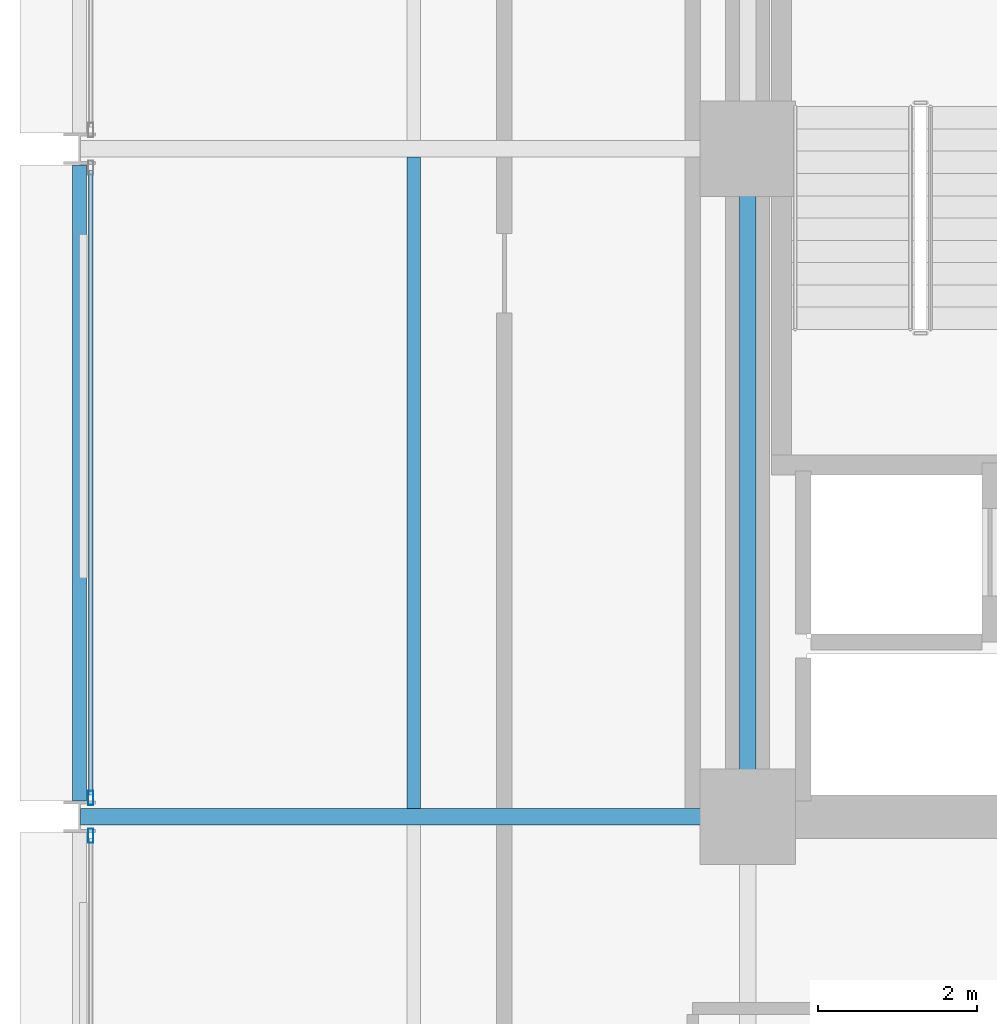
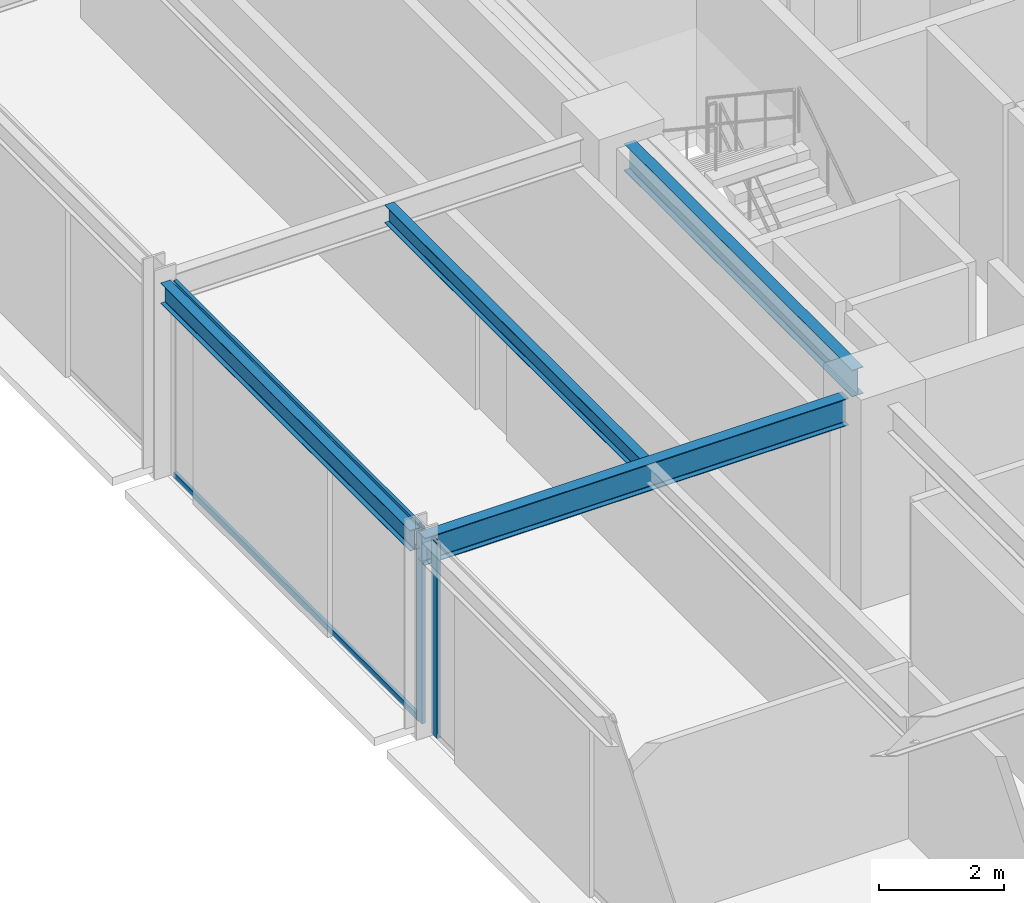
# One storey, part 10 of 30: 4 beams, 4 members, 2 elements without a shape of their own.
"""IFC4 building model written with IfcOpenShell, lengths in metres."""

from ifc_helpers import new_model, si_unit, direction, frame, origin, origin_2d, place, context, subcontext, project, spatial, hollow_rectangle, i_section, extrude, material, layer, layer_set, material_profile, profile_set, type_object, element, aggregate, save


model = new_model("IFC4")

# Units and contexts
model_context = context("Model", 3, precision=1e-05, world=origin(), true_north=direction((0.0, 1.0)))
body_context = subcontext(model_context, "Body", "Model", "MODEL_VIEW")
ifc_project = project(units=[si_unit("LENGTHUNIT", "METRE"), si_unit("AREAUNIT", "SQUARE_METRE"), si_unit("VOLUMEUNIT", "CUBIC_METRE"), si_unit("PLANEANGLEUNIT", "RADIAN"), si_unit("MASSUNIT", "GRAM", prefix="KILO")], contexts=[model_context])

# Site, building, storey
site_placement = place(None, origin())
site = spatial("IfcSite", under=ifc_project, at=site_placement, CompositionType="ELEMENT")
building_placement = place(site_placement, origin())
building = spatial("IfcBuilding", under=site, at=building_placement, Name="Nerrivon Quay Data Exchange", CompositionType="ELEMENT")
storey_placement = place(building_placement, frame((0.0, 0.0, 117.199951171875)))
storey = spatial("IfcBuildingStorey", under=building, at=storey_placement, Name="L27", CompositionType="ELEMENT", Elevation=117.199951171875)

# Beams
ifc_material_1 = material(Name="Steel Grade 350", Category="steel")
ifc_material_profile_1 = material_profile(ifc_material_1, i_section(OverallWidth=0.208984375, OverallDepth=0.532958984375, WebThickness=0.01025390625, FlangeThickness=0.015625, FilletRadius=0.013916015625, at=origin_2d()), Name="530UB92.4")
ifc_profile_set_1 = profile_set([ifc_material_profile_1], Name="Steel Grade 350")
beam_type_1 = type_object("IfcBeamType", Name="BM-G3-530UB92", PredefinedType="BEAM", material=ifc_profile_set_1)
beam_1_placement = place(storey_placement, frame((0.012451171875, 25.199951171875, 3.55859375), z_axis=(1.0, 0.0, 0.0), x_axis=(0.0, 1.0, 0.0)))
element("IfcBeam", 1, at=beam_1_placement, inside=storey, type_object=beam_type_1, Name="L27 EW Girder Y=25.2 (0.0..8.4)", PredefinedType="BEAM", context=body_context, shape_type="SweptSolid", body=[
    extrude(i_section(OverallWidth=0.208984375, OverallDepth=0.532958984375, WebThickness=0.01025390625, FlangeThickness=0.015625, FilletRadius=0.013916015625, at=origin_2d()), origin(), (0.0, 0.0, 1.0), 7.84765625),
])
ifc_material_profile_2 = material_profile(ifc_material_1, i_section(OverallWidth=0.208984375, OverallDepth=0.528076171875, WebThickness=0.009521484375, FlangeThickness=0.01318359375, FilletRadius=0.013916015625, at=origin_2d()), Name="530UB82.0")
ifc_profile_set_2 = profile_set([ifc_material_profile_2], Name="Steel Grade 350")
beam_type_2 = type_object("IfcBeamType", Name="BM-G4-530UB82", PredefinedType="BEAM", material=ifc_profile_set_2)
beam_2_placement = place(storey_placement, frame((8.39990234375, 25.739990234375, 3.56103515625), z_axis=(0.0, 1.0, 0.0), x_axis=(-1.0, 0.0, 0.0)))
element("IfcBeam", 2, at=beam_2_placement, inside=storey, type_object=beam_type_2, Name="L27 NS Girder X=8.4 (25.2..33.6)", PredefinedType="BEAM", context=body_context, shape_type="SweptSolid", body=[
    extrude(i_section(OverallWidth=0.208984375, OverallDepth=0.528076171875, WebThickness=0.009521484375, FlangeThickness=0.01318359375, FilletRadius=0.013916015625, at=origin_2d()), origin(), (0.0, 0.0, 1.0), 7.320068359375),
])
ifc_material_profile_3 = material_profile(ifc_material_1, i_section(OverallWidth=0.1708984375, OverallDepth=0.35595703125, WebThickness=0.00732421875, FlangeThickness=0.011474609375, FilletRadius=0.011474609375, at=origin_2d()), Name="360UB50.7")
ifc_profile_set_3 = profile_set([ifc_material_profile_3], Name="Steel Grade 350")
beam_type_3 = type_object("IfcBeamType", Name="BM-J4-360UB51", PredefinedType="JOIST", material=ifc_profile_set_3)
beam_3_placement = place(storey_placement, frame((4.199951171875, 25.304443359375, 3.64697265625), z_axis=(0.0, 1.0, 0.0), x_axis=(-1.0, 0.0, 0.0)))
element("IfcBeam", 3, at=beam_3_placement, inside=storey, type_object=beam_type_3, Name="L27 Secondary Joist X=4.2 (25.2..33.6)", PredefinedType="JOIST", context=body_context, shape_type="SweptSolid", body=[
    extrude(i_section(OverallWidth=0.1708984375, OverallDepth=0.35595703125, WebThickness=0.00732421875, FlangeThickness=0.011474609375, FilletRadius=0.011474609375, at=origin_2d()), origin(), (0.0, 0.0, 1.0), 8.191162109375),
])
ifc_material_profile_4 = material_profile(ifc_material_1, i_section(OverallWidth=0.177978515625, OverallDepth=0.403076171875, WebThickness=0.007568359375, FlangeThickness=0.010986328125, FilletRadius=0.011474609375, at=origin_2d()), Name="410UB53.7")
ifc_profile_set_4 = profile_set([ifc_material_profile_4], Name="Steel Grade 350")
beam_type_4 = type_object("IfcBeamType", Name="BM-SP2-410UB54", PredefinedType="SPANDREL", material=ifc_profile_set_4)
beam_4_placement = place(storey_placement, frame((0.0, 25.39990234375, 3.62353515625), z_axis=(0.0, 1.0, 0.0), x_axis=(-1.0, 0.0, 0.0)))
element("IfcBeam", 4, at=beam_4_placement, inside=storey, type_object=beam_type_4, Name="L27 NS Girder X=0.0 (25.2..33.6)", PredefinedType="SPANDREL", context=body_context, shape_type="SweptSolid", body=[
    extrude(i_section(OverallWidth=0.177978515625, OverallDepth=0.403076171875, WebThickness=0.007568359375, FlangeThickness=0.010986328125, FilletRadius=0.011474609375, at=origin_2d()), origin(), (0.0, 0.0, 1.0), 8.0),
])

# Curtain wall, member
ifc_material_2 = material(Name="Anodised aluminium 6063-T6", Category="aluminium")
ifc_layer = layer(ifc_material_2, 0.2099609375)
ifc_layer_set = layer_set([ifc_layer], Name="Anodised aluminium 6063-T6")
curtain_wall_type = type_object("IfcCurtainWallType", Name="CW-SYS-02", PredefinedType="NOTDEFINED", material=ifc_layer_set)
curtain_wall_1_placement = place(storey_placement, origin())
curtain_wall_1 = element("IfcCurtainWall", 5, at=curtain_wall_1_placement, inside=storey, type_object=curtain_wall_type, Name="L27 Unitised Curtain Wall 13", PredefinedType="NOTDEFINED")
ifc_material_profile_5 = material_profile(ifc_material_2, hollow_rectangle(XDim=0.06494140625, YDim=0.179931640625, WallThickness=0.00341796875, at=origin_2d()), Name="ALU-MULL-180x65")
ifc_profile_set_5 = profile_set([ifc_material_profile_5], Name="Anodised aluminium 6063-T6")
member_type_1 = type_object("IfcMemberType", Name="CWM-180x65", PredefinedType="MULLION", material=ifc_profile_set_5)
member_1_placement = place(storey_placement, frame((0.139892578125, 24.96240234375, 0.0), z_axis=(0.0, 0.0, 1.0), x_axis=(-1.0, 0.0, 0.0)))
member_1 = element("IfcMember", 6, at=member_1_placement, type_object=member_type_1, Name="CW02 mullion 2", PredefinedType="MULLION", context=body_context, shape_type="SweptSolid", body=[
    extrude(hollow_rectangle(XDim=0.06494140625, YDim=0.179931640625, WallThickness=0.00341796875, at=origin_2d()), origin(), (0.0, 0.0, 1.0), 3.824951171875),
])
aggregate(curtain_wall_1, [member_1])

# Curtain wall, members
curtain_wall_2_placement = place(storey_placement, origin())
curtain_wall_2 = element("IfcCurtainWall", 7, at=curtain_wall_2_placement, inside=storey, type_object=curtain_wall_type, Name="L27 Unitised Curtain Wall 14", PredefinedType="NOTDEFINED")
member_2_placement = place(storey_placement, frame((0.139892578125, 25.4375, 0.0), z_axis=(0.0, 0.0, 1.0), x_axis=(-1.0, 0.0, 0.0)))
member_2 = element("IfcMember", 8, at=member_2_placement, type_object=member_type_1, Name="CW02 mullion 1", PredefinedType="MULLION", context=body_context, shape_type="SweptSolid", body=[
    extrude(hollow_rectangle(XDim=0.06494140625, YDim=0.179931640625, WallThickness=0.00341796875, at=origin_2d()), origin(), (0.0, 0.0, 1.0), 3.824951171875),
])
ifc_material_profile_6 = material_profile(ifc_material_2, hollow_rectangle(XDim=0.06005859375, YDim=0.1201171875, WallThickness=0.003173828125, at=origin_2d()), Name="ALU-TRAN-120x60")
ifc_profile_set_6 = profile_set([ifc_material_profile_6], Name="Anodised aluminium 6063-T6")
member_type_2 = type_object("IfcMemberType", Name="CWT-120x60", PredefinedType="USERDEFINED", material=ifc_profile_set_6)
member_3_placement = place(storey_placement, frame((0.139892578125, 25.47509765625, 0.032470703125), z_axis=(0.0, 1.0, 0.0), x_axis=(-1.0, 0.0, 0.0)))
member_3 = element("IfcMember", 9, at=member_3_placement, type_object=member_type_2, Name="CW02 transom 1.1", ObjectType="TRANSOM", PredefinedType="USERDEFINED", context=body_context, shape_type="SweptSolid", body=[
    extrude(hollow_rectangle(XDim=0.06005859375, YDim=0.1201171875, WallThickness=0.003173828125, at=origin_2d()), origin(), (0.0, 0.0, 1.0), 7.849853515625),
])
member_4_placement = place(storey_placement, frame((0.139892578125, 25.47509765625, 3.79248046875), z_axis=(0.0, 1.0, 0.0), x_axis=(-1.0, 0.0, 0.0)))
member_4 = element("IfcMember", 10, at=member_4_placement, type_object=member_type_2, Name="CW02 transom 1.2", ObjectType="TRANSOM", PredefinedType="USERDEFINED", context=body_context, shape_type="SweptSolid", body=[
    extrude(hollow_rectangle(XDim=0.06005859375, YDim=0.1201171875, WallThickness=0.003173828125, at=origin_2d()), origin(), (0.0, 0.0, 1.0), 7.849853515625),
])
aggregate(curtain_wall_2, [member_2, member_3, member_4])

save(model, "model.ifc")
